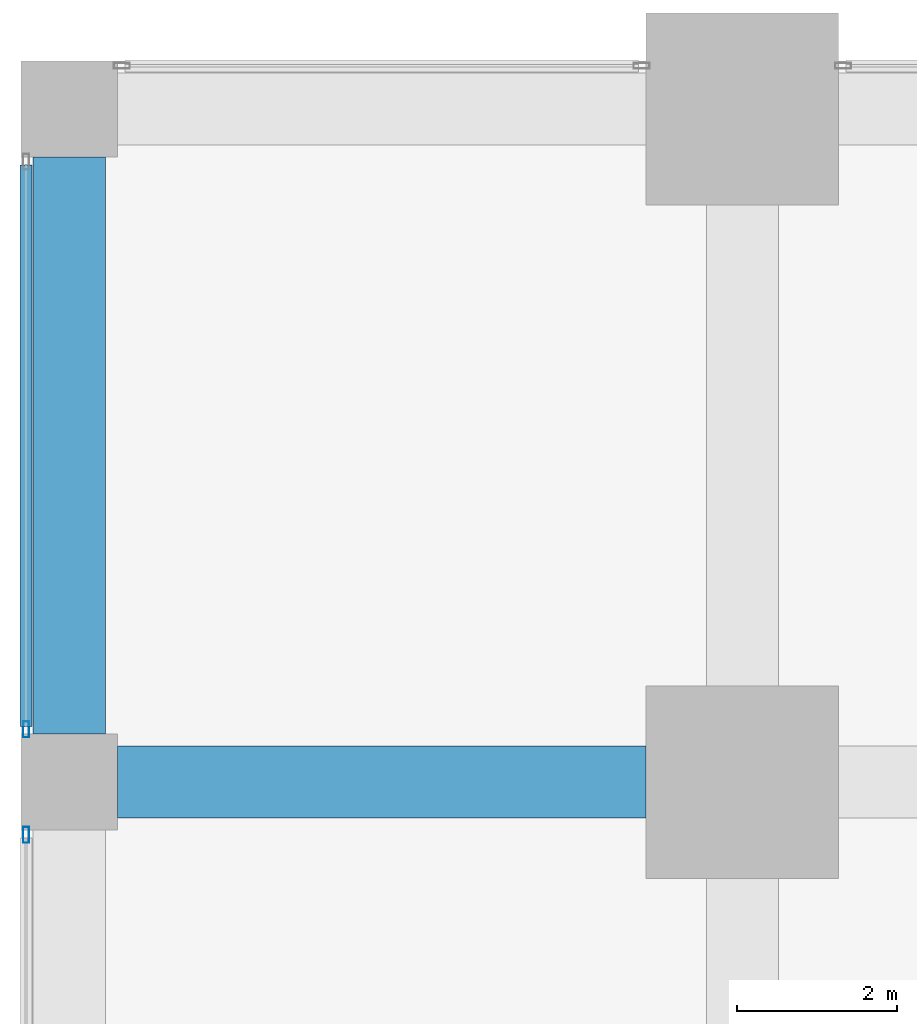
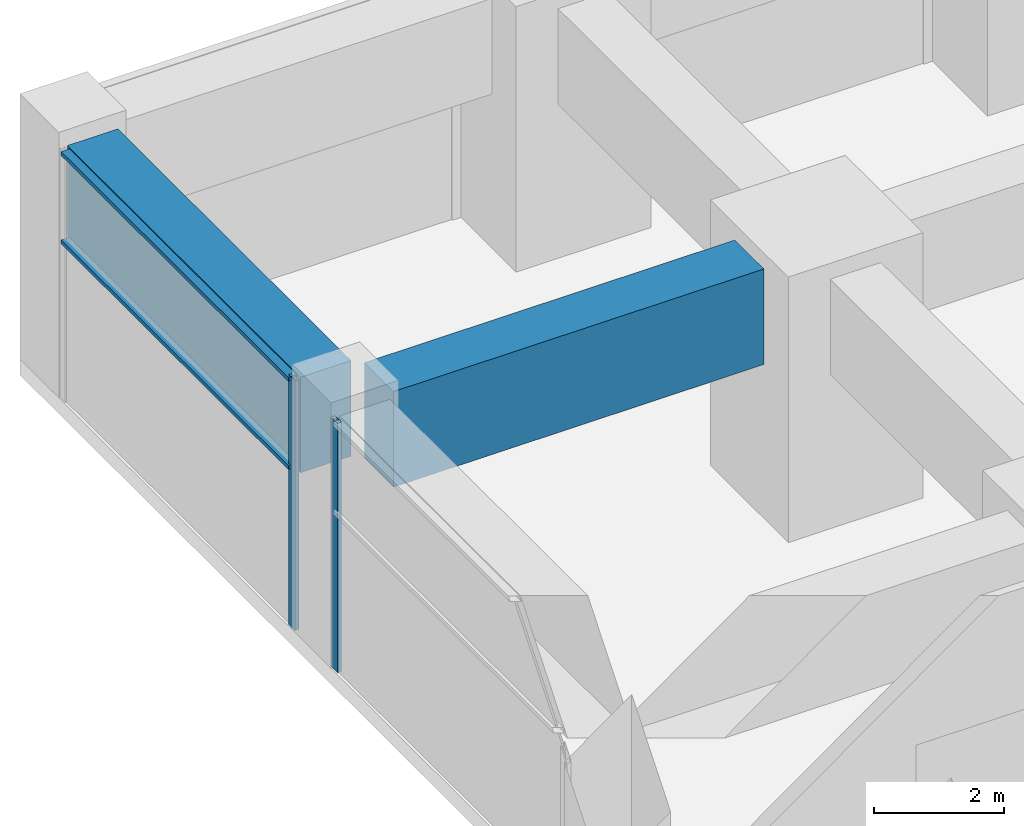
# One storey, part 21 of 49: 4 members, 2 beams, 2 elements without a shape of their own.
"""IFC4 building model written with IfcOpenShell, lengths in metres."""

from ifc_helpers import new_model, si_unit, direction, frame, origin, origin_2d, place, context, subcontext, project, spatial, rectangle, hollow_rectangle, extrude, material, material_profile, profile_set, type_object, element, aggregate, save


model = new_model("IFC4")

# Units and contexts
model_context = context("Model", 3, precision=1e-05, world=origin(), true_north=direction((0.0, 1.0)))
body_context = subcontext(model_context, "Body", "Model", "MODEL_VIEW")
ifc_project = project(units=[si_unit("LENGTHUNIT", "METRE"), si_unit("AREAUNIT", "SQUARE_METRE"), si_unit("VOLUMEUNIT", "CUBIC_METRE"), si_unit("PLANEANGLEUNIT", "RADIAN"), si_unit("MASSUNIT", "GRAM", prefix="KILO")], contexts=[model_context])

# Site, building, storey
site_placement = place(None, origin())
site = spatial("IfcSite", under=ifc_project, at=site_placement, CompositionType="ELEMENT")
building_placement = place(site_placement, origin())
building = spatial("IfcBuilding", under=site, at=building_placement, Name="Rekha Terrace Tower", CompositionType="ELEMENT")
storey_placement = place(building_placement, frame((0.0, 0.0, 10.39990234375)))
storey = spatial("IfcBuildingStorey", under=building, at=storey_placement, Name="L02", CompositionType="ELEMENT", Elevation=10.39990234375)

# Curtain wall, member
ifc_material_1 = material(Name="Aluminium framing", Category="aluminium")
curtain_wall_type = type_object("IfcCurtainWallType", Name="CW4 podium shopfront glazing", PredefinedType="USERDEFINED", material=ifc_material_1)
curtain_wall_1_placement = place(storey_placement, origin())
curtain_wall_1 = element("IfcCurtainWall", 1, at=curtain_wall_1_placement, inside=storey, type_object=curtain_wall_type, Name="CW4 shopfront curtain wall", ObjectType="SHOPFRONT CURTAIN WALL", PredefinedType="USERDEFINED")
ifc_material_2 = material(Name="Aluminium mullion section", Category="aluminium")
ifc_material_profile_1 = material_profile(ifc_material_2, hollow_rectangle(XDim=0.074951171875, YDim=0.199951171875, WallThickness=0.00390625, at=origin_2d()), Name="AL RHS 75x200")
ifc_profile_set_1 = profile_set([ifc_material_profile_1], Name="Aluminium mullion section")
member_type_1 = type_object("IfcMemberType", Name="CW4 mullion RHS 75 x 200", PredefinedType="MULLION", material=ifc_profile_set_1)
member_1_placement = place(storey_placement, frame((-0.5400390625, 51.0576171875, 0.0), z_axis=(0.0, 0.0, 1.0), x_axis=(1.0, 0.0, 0.0)))
member_1 = element("IfcMember", 2, at=member_1_placement, type_object=member_type_1, Name="CW4 mullion 2", PredefinedType="MULLION", context=body_context, shape_type="SweptSolid", body=[
    extrude(hollow_rectangle(XDim=0.074951171875, YDim=0.199951171875, WallThickness=0.00390625, at=origin_2d()), origin(), (0.0, 0.0, 1.0), 4.7001953125),
])

curtain_wall_2_placement = place(storey_placement, origin())
curtain_wall_2 = element("IfcCurtainWall", 3, at=curtain_wall_2_placement, inside=storey, type_object=curtain_wall_type, Name="CW4 shopfront curtain wall", ObjectType="SHOPFRONT CURTAIN WALL", PredefinedType="USERDEFINED")
member_2_placement = place(storey_placement, frame((-0.5400390625, 49.742431640625, 0.0), z_axis=(0.0, 0.0, 1.0), x_axis=(1.0, 0.0, 0.0)))
member_2 = element("IfcMember", 4, at=member_2_placement, type_object=member_type_1, Name="CW4 mullion 1", PredefinedType="MULLION", context=body_context, shape_type="SweptSolid", body=[
    extrude(hollow_rectangle(XDim=0.074951171875, YDim=0.199951171875, WallThickness=0.00390625, at=origin_2d()), origin(), (0.0, 0.0, 1.0), 4.7001953125),
])
aggregate(curtain_wall_2, [member_2])

# Member
ifc_material_3 = material(Name="Aluminium transom section", Category="aluminium")
ifc_material_profile_2 = material_profile(ifc_material_3, hollow_rectangle(XDim=0.14990234375, YDim=0.074951171875, WallThickness=0.0029296875, at=origin_2d()), Name="AL RHS 150x75")
ifc_profile_set_2 = profile_set([ifc_material_profile_2], Name="Aluminium transom section")
member_type_2 = type_object("IfcMemberType", Name="CW4 transom RHS 75 x 150", PredefinedType="USERDEFINED", material=ifc_profile_set_2)
member_3_placement = place(storey_placement, frame((-0.5400390625, 58.10498046875, 3.0), z_axis=(0.0, -1.0, 0.0), x_axis=(1.0, 0.0, 0.0)))
member_3 = element("IfcMember", 5, at=member_3_placement, type_object=member_type_2, Name="CW4 transom 1.2", ObjectType="TRANSOM", PredefinedType="USERDEFINED", context=body_context, shape_type="SweptSolid", body=[
    extrude(hollow_rectangle(XDim=0.14990234375, YDim=0.074951171875, WallThickness=0.0029296875, at=origin_2d()), origin(), (0.0, 0.0, 1.0), 7.010009765625),
])

member_4_placement = place(storey_placement, frame((-0.5400390625, 58.10498046875, 4.66259765625), z_axis=(0.0, -1.0, 0.0), x_axis=(1.0, 0.0, 0.0)))
member_4 = element("IfcMember", 6, at=member_4_placement, type_object=member_type_2, Name="CW4 transom 1.3", ObjectType="TRANSOM", PredefinedType="USERDEFINED", context=body_context, shape_type="SweptSolid", body=[
    extrude(hollow_rectangle(XDim=0.14990234375, YDim=0.074951171875, WallThickness=0.0029296875, at=origin_2d()), origin(), (0.0, 0.0, 1.0), 7.010009765625),
])

aggregate(curtain_wall_1, [member_1, member_3, member_4])

# Beams
ifc_material_4 = material(Name="Concrete M60", Category="concrete")
ifc_material_profile_3 = material_profile(ifc_material_4, rectangle(XDim=0.89990234375, YDim=1.800048828125, at=origin_2d()), Name="RC 900x1800")
ifc_profile_set_3 = profile_set([ifc_material_profile_3], Name="Concrete M60")
beam_type = type_object("IfcBeamType", Name="G1 900x1800 podium floor beam", PredefinedType="BEAM", material=ifc_profile_set_3)
beam_1_placement = place(storey_placement, frame((0.60009765625, 50.39990234375, 3.800048828125), z_axis=(1.0, 0.0, 0.0), x_axis=(0.0, 1.0, 0.0)))
element("IfcBeam", 7, at=beam_1_placement, inside=storey, type_object=beam_type, Name="Beam G1 1G-2G under L03", PredefinedType="BEAM", context=body_context, shape_type="SweptSolid", body=[
    extrude(rectangle(XDim=0.89990234375, YDim=1.800048828125, at=origin_2d()), origin(), (0.0, 0.0, 1.0), 6.599853515625),
])
beam_2_placement = place(storey_placement, frame((0.0, 51.0, 3.800048828125), z_axis=(0.0, 1.0, 0.0), x_axis=(-1.0, 0.0, 0.0)))
element("IfcBeam", 8, at=beam_2_placement, inside=storey, type_object=beam_type, Name="Beam G1 1G-1H under L03", PredefinedType="BEAM", context=body_context, shape_type="SweptSolid", body=[
    extrude(rectangle(XDim=0.89990234375, YDim=1.800048828125, at=origin_2d()), origin(), (0.0, 0.0, 1.0), 7.199951171875),
])

save(model, "model.ifc")
